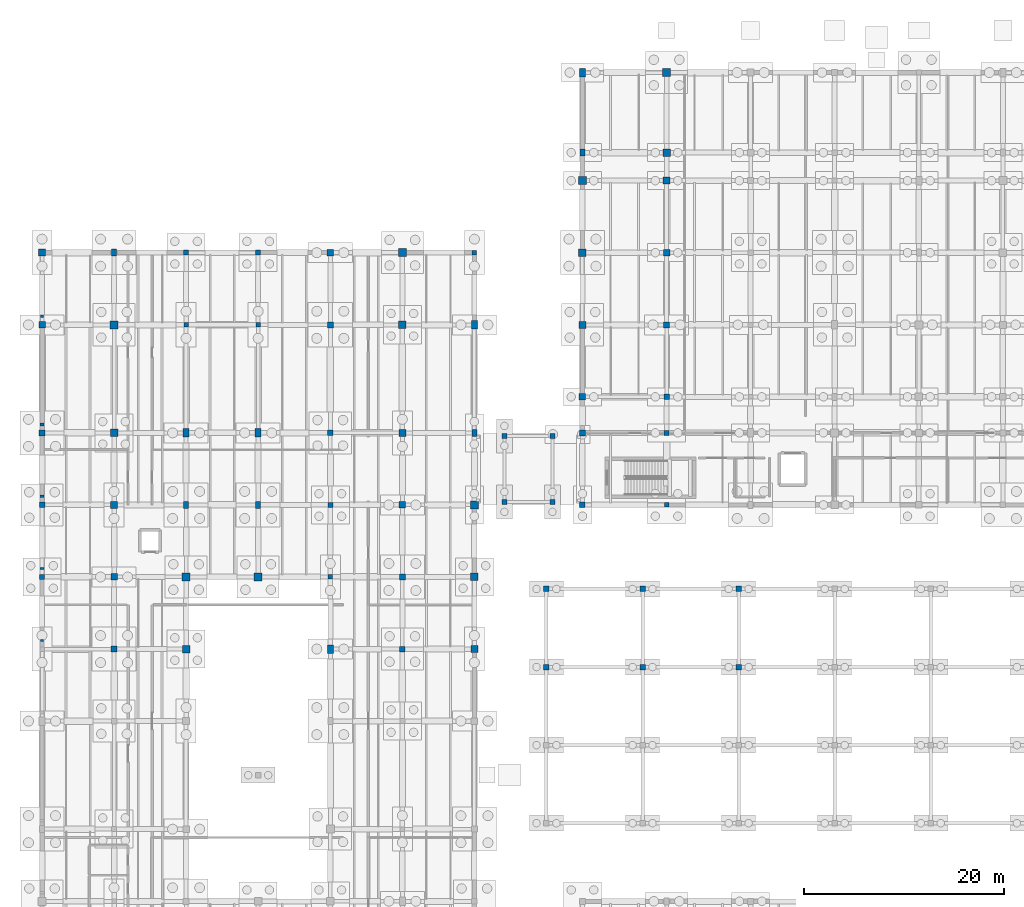
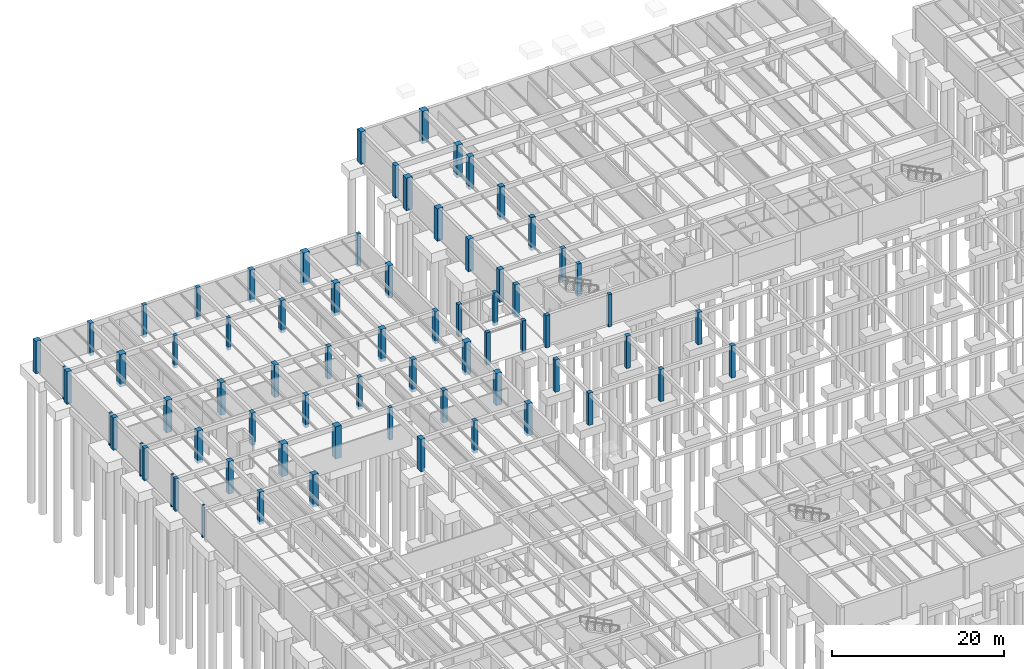
# One storey, part 20 of 63: 71 columns.
"""IFC4 building model written with IfcOpenShell, lengths in metres."""

from ifc_helpers import new_model, si_unit, direction, frame, origin, origin_2d, place, context, subcontext, project, spatial, rectangle, extrude, material, material_profile, profile_set, type_object, element, save


model = new_model("IFC4")

# Units and contexts
model_context = context("Model", 3, precision=1e-05, world=origin(), true_north=direction((0.0, 1.0)))
body_context = subcontext(model_context, "Body", "Model", "MODEL_VIEW")
ifc_project = project(units=[si_unit("LENGTHUNIT", "METRE"), si_unit("AREAUNIT", "SQUARE_METRE"), si_unit("VOLUMEUNIT", "CUBIC_METRE"), si_unit("PLANEANGLEUNIT", "RADIAN"), si_unit("MASSUNIT", "GRAM", prefix="KILO")], contexts=[model_context])

# Site, building, storey
site_placement = place(None, origin())
site = spatial("IfcSite", under=ifc_project, at=site_placement, CompositionType="ELEMENT")
building_placement = place(site_placement, origin())
building = spatial("IfcBuilding", under=site, at=building_placement, Name="Mazaris Harbour Polytechnic", CompositionType="ELEMENT")
storey_placement = place(building_placement, frame((0.0, 0.0, -4.5)))
storey = spatial("IfcBuildingStorey", under=building, at=storey_placement, Name="B1", CompositionType="ELEMENT", Elevation=-4.5)

# Columns
ifc_material_1 = material(Name="Concrete C35/45", Category="concrete")
ifc_material_profile_1 = material_profile(ifc_material_1, rectangle(XDim=0.320068359375, YDim=0.219970703125, at=origin_2d()), Name="RECT320x220")
ifc_profile_set_1 = profile_set([ifc_material_profile_1], Name="Concrete C35/45")
column_type_1 = type_object("IfcColumnType", Name="Limestone Pilaster 320x220", PredefinedType="PILASTER", material=ifc_profile_set_1)
for number, where, z_axis, x_axis, name in (
    (1, (0.0, 62.050048828125, -0.419921875), (0.0, 0.0, 1.0), (1.0, 0.0, 0.0), "V4 B1 Giant Order Pilaster 8"),
    (2, (0.0, 94.449951171875, -0.419921875), (0.0, 0.0, 1.0), (1.0, 0.0, 0.0), "V4 B1 Giant Order Pilaster 12"),
):
    element("IfcColumn", number, at=place(storey_placement, frame(where, z_axis=z_axis, x_axis=x_axis)), inside=storey, type_object=column_type_1, Name=name, PredefinedType="PILASTER", context=body_context, shape_type="SweptSolid", body=[
        extrude(rectangle(XDim=0.320068359375, YDim=0.219970703125, at=origin_2d()), origin(), (0.0, 0.0, 1.0), 4.599853515625),
    ])
ifc_material_2 = material(Name="Concrete C35/45", Category="concrete")
ifc_material_profile_2 = material_profile(ifc_material_2, rectangle(XDim=0.360107421875, YDim=0.239990234375, at=origin_2d()), Name="RECT360x240")
ifc_profile_set_2 = profile_set([ifc_material_profile_2], Name="Concrete C35/45")
column_type_2 = type_object("IfcColumnType", Name="Limestone Pilaster 360x240", PredefinedType="PILASTER", material=ifc_profile_set_2)
column_1_placement = place(storey_placement, frame((0.0, 69.25, -0.419921875), z_axis=(0.0, 0.0, 1.0), x_axis=(1.0, 0.0, 0.0)))
element("IfcColumn", 3, at=column_1_placement, inside=storey, type_object=column_type_2, Name="V4 B1 Giant Order Pilaster 9", PredefinedType="PILASTER", context=body_context, shape_type="SweptSolid", body=[
    extrude(rectangle(XDim=0.360107421875, YDim=0.239990234375, at=origin_2d()), origin(), (0.0, 0.0, 1.0), 4.599853515625),
])
ifc_material_3 = material(Name="Concrete C35/45", Category="concrete")
ifc_material_profile_3 = material_profile(ifc_material_3, rectangle(XDim=0.39990234375, YDim=0.260009765625, at=origin_2d()), Name="RECT400x260")
ifc_profile_set_3 = profile_set([ifc_material_profile_3], Name="Concrete C35/45")
column_type_3 = type_object("IfcColumnType", Name="Limestone Pilaster 400x260", PredefinedType="PILASTER", material=ifc_profile_set_3)
column_2_placement = place(storey_placement, frame((0.0, 76.449951171875, -0.419921875), z_axis=(0.0, 0.0, 1.0), x_axis=(1.0, 0.0, 0.0)))
element("IfcColumn", 4, at=column_2_placement, inside=storey, type_object=column_type_3, Name="V4 B1 Giant Order Pilaster 10", PredefinedType="PILASTER", context=body_context, shape_type="SweptSolid", body=[
    extrude(rectangle(XDim=0.39990234375, YDim=0.260009765625, at=origin_2d()), origin(), (0.0, 0.0, 1.0), 4.599853515625),
])
ifc_material_4 = material(Name="Concrete C35/45", Category="concrete")
ifc_material_profile_4 = material_profile(ifc_material_4, rectangle(XDim=0.43994140625, YDim=0.280029296875, at=origin_2d()), Name="RECT440x280")
ifc_profile_set_4 = profile_set([ifc_material_profile_4], Name="Concrete C35/45")
column_type_4 = type_object("IfcColumnType", Name="Limestone Pilaster 440x280", PredefinedType="PILASTER", material=ifc_profile_set_4)
column_3_placement = place(storey_placement, frame((0.0, 83.64990234375, -0.419921875), z_axis=(0.0, 0.0, 1.0), x_axis=(1.0, 0.0, 0.0)))
element("IfcColumn", 5, at=column_3_placement, inside=storey, type_object=column_type_4, Name="V4 B1 Giant Order Pilaster 11", PredefinedType="PILASTER", context=body_context, shape_type="SweptSolid", body=[
    extrude(rectangle(XDim=0.43994140625, YDim=0.280029296875, at=origin_2d()), origin(), (0.0, 0.0, 1.0), 4.599853515625),
])
ifc_material_5 = material(Name="Concrete C40/50", Category="concrete")
ifc_material_profile_5 = material_profile(ifc_material_5, rectangle(XDim=0.449951171875, YDim=0.449951171875, at=origin_2d()), Name="RECT450x450")
ifc_profile_set_5 = profile_set([ifc_material_profile_5], Name="Concrete C40/50")
column_type_5 = type_object("IfcColumnType", Name="RC Column 450x450", PredefinedType="COLUMN", material=ifc_profile_set_5)
column_4_placement = place(storey_placement, frame((62.39990234375, 75.60009765625, -0.4599609375), z_axis=(0.0, 0.0, 1.0), x_axis=(1.0, 0.0, 0.0)))
element("IfcColumn", 6, at=column_4_placement, inside=storey, type_object=column_type_5, Name="V1 B1 Column 9", PredefinedType="COLUMN", context=body_context, shape_type="SweptSolid", body=[
    extrude(rectangle(XDim=0.449951171875, YDim=0.449951171875, at=origin_2d()), origin(), (0.0, 0.0, 1.0), 4.60986328125),
])
for number, where, z_axis, x_axis, name in (
    (7, (14.39990234375, 93.60009765625, -0.419921875), (0.0, 0.0, 1.0), (1.0, 0.0, 0.0), "V4 B1 Column 589"),
    (8, (21.60009765625, 93.60009765625, -0.419921875), (0.0, 0.0, 1.0), (1.0, 0.0, 0.0), "V4 B1 Column 599"),
    (9, (28.800048828125, 68.39990234375, -0.419921875), (0.0, 0.0, 1.0), (1.0, 0.0, 0.0), "V4 B1 Column 609"),
    (10, (43.199951171875, 100.800048828125, -0.419921875), (0.0, 0.0, 1.0), (1.0, 0.0, 0.0), "V4 B1 Column 639"),
):
    element("IfcColumn", number, at=place(storey_placement, frame(where, z_axis=z_axis, x_axis=x_axis)), inside=storey, type_object=column_type_5, Name=name, PredefinedType="COLUMN", context=body_context, shape_type="SweptSolid", body=[
        extrude(rectangle(XDim=0.449951171875, YDim=0.449951171875, at=origin_2d()), origin(), (0.0, 0.0, 1.0), 4.599853515625),
    ])
ifc_material_6 = material(Name="Concrete C40/50", Category="concrete")
ifc_material_profile_6 = material_profile(ifc_material_6, rectangle(XDim=0.5, YDim=0.5, at=origin_2d()), Name="RECT500x500")
ifc_profile_set_6 = profile_set([ifc_material_profile_6], Name="Concrete C40/50")
column_type_6 = type_object("IfcColumnType", Name="RC Column 500x500", PredefinedType="COLUMN", material=ifc_profile_set_6)
column_5_placement = place(storey_placement, frame((62.39990234375, 82.800048828125, -0.4599609375), z_axis=(0.0, 0.0, 1.0), x_axis=(1.0, 0.0, 0.0)))
element("IfcColumn", 11, at=column_5_placement, inside=storey, type_object=column_type_6, Name="V1 B1 Column 10", PredefinedType="COLUMN", context=body_context, shape_type="SweptSolid", body=[
    extrude(rectangle(XDim=0.5, YDim=0.5, at=origin_2d()), origin(), (0.0, 0.0, 1.0), 4.60986328125),
])
for number, where, z_axis, x_axis, name in (
    (12, (0.0, 68.39990234375, -0.419921875), (0.0, 0.0, 1.0), (1.0, 0.0, 0.0), "V4 B1 Column 560"),
    (13, (14.39990234375, 100.800048828125, -0.419921875), (0.0, 0.0, 1.0), (1.0, 0.0, 0.0), "V4 B1 Column 590"),
    (14, (21.60009765625, 100.800048828125, -0.419921875), (0.0, 0.0, 1.0), (1.0, 0.0, 0.0), "V4 B1 Column 600"),
    (15, (28.800048828125, 75.60009765625, -0.419921875), (0.0, 0.0, 1.0), (1.0, 0.0, 0.0), "V4 B1 Column 610"),
):
    element("IfcColumn", number, at=place(storey_placement, frame(where, z_axis=z_axis, x_axis=x_axis)), inside=storey, type_object=column_type_6, Name=name, PredefinedType="COLUMN", context=body_context, shape_type="SweptSolid", body=[
        extrude(rectangle(XDim=0.5, YDim=0.5, at=origin_2d()), origin(), (0.0, 0.0, 1.0), 4.599853515625),
    ])
for number, where, z_axis, x_axis, name in (
    (16, (46.199951171875, 75.89990234375, -0.3798828125), (0.0, 0.0, 1.0), (1.0, 0.0, 0.0), "PB-W2 B1 Bridge Column 1528"),
    (17, (51.0, 75.89990234375, -0.3798828125), (0.0, 0.0, 1.0), (1.0, 0.0, 0.0), "PB-W2 B1 Bridge Column 1529"),
    (18, (46.199951171875, 82.5, -0.3798828125), (0.0, 0.0, 1.0), (1.0, 0.0, 0.0), "PB-W2 B1 Bridge Column 1530"),
):
    element("IfcColumn", number, at=place(storey_placement, frame(where, z_axis=z_axis, x_axis=x_axis)), inside=storey, type_object=column_type_6, Name=name, PredefinedType="COLUMN", context=body_context, shape_type="SweptSolid", body=[
        extrude(rectangle(XDim=0.5, YDim=0.5, at=origin_2d()), origin(), (0.0, 0.0, 1.0), 4.614990234375),
    ])
column_6_placement = place(storey_placement, frame((51.0, 82.5, -0.4599609375), z_axis=(0.0, 0.0, 1.0), x_axis=(1.0, 0.0, 0.0)))
element("IfcColumn", 19, at=column_6_placement, inside=storey, type_object=column_type_6, Name="PB-W2 B1 Bridge Column 1531", PredefinedType="COLUMN", context=body_context, shape_type="SweptSolid", body=[
    extrude(rectangle(XDim=0.5, YDim=0.5, at=origin_2d()), origin(), (0.0, 0.0, 1.0), 4.695068359375),
])
ifc_material_7 = material(Name="Concrete C40/50", Category="concrete")
ifc_material_profile_7 = material_profile(ifc_material_7, rectangle(XDim=0.5, YDim=0.699951171875, at=origin_2d()), Name="RECT500x700")
ifc_profile_set_7 = profile_set([ifc_material_profile_7], Name="Concrete C40/50")
column_type_7 = type_object("IfcColumnType", Name="RC Column 500x700", PredefinedType="COLUMN", material=ifc_profile_set_7)
column_7_placement = place(storey_placement, frame((54.0, 110.800048828125, -0.4599609375), z_axis=(0.0, 0.0, 1.0), x_axis=(1.0, 0.0, 0.0)))
element("IfcColumn", 20, at=column_7_placement, inside=storey, type_object=column_type_7, Name="V1 B1 Column 7", PredefinedType="COLUMN", context=body_context, shape_type="SweptSolid", body=[
    extrude(rectangle(XDim=0.5, YDim=0.699951171875, at=origin_2d()), origin(), (0.0, 0.0, 1.0), 4.60986328125),
])
for number, where, z_axis, x_axis, name in (
    (21, (7.199951171875, 100.800048828125, -0.419921875), (0.0, 0.0, 1.0), (1.0, 0.0, 0.0), "V4 B1 Column 577"),
    (22, (14.39990234375, 75.60009765625, -0.419921875), (0.0, 0.0, 1.0), (1.0, 0.0, 0.0), "V4 B1 Column 587"),
    (23, (21.60009765625, 75.60009765625, -0.419921875), (0.0, 0.0, 1.0), (1.0, 0.0, 0.0), "V4 B1 Column 597"),
    (24, (43.199951171875, 82.800048828125, -0.419921875), (0.0, 0.0, 1.0), (1.0, 0.0, 0.0), "V4 B1 Column 637"),
):
    element("IfcColumn", number, at=place(storey_placement, frame(where, z_axis=z_axis, x_axis=x_axis)), inside=storey, type_object=column_type_7, Name=name, PredefinedType="COLUMN", context=body_context, shape_type="SweptSolid", body=[
        extrude(rectangle(XDim=0.5, YDim=0.699951171875, at=origin_2d()), origin(), (0.0, 0.0, 1.0), 4.599853515625),
    ])
ifc_material_8 = material(Name="Concrete C40/50", Category="concrete")
ifc_material_profile_8 = material_profile(ifc_material_8, rectangle(XDim=0.550048828125, YDim=0.550048828125, at=origin_2d()), Name="RECT550x550")
ifc_profile_set_8 = profile_set([ifc_material_profile_8], Name="Concrete C40/50")
column_type_8 = type_object("IfcColumnType", Name="RC Column 550x550", PredefinedType="COLUMN", material=ifc_profile_set_8)
for number, where, z_axis, x_axis, name in (
    (25, (54.0, 75.60009765625, -0.4599609375), (0.0, 0.0, 1.0), (1.0, 0.0, 0.0), "V1 B1 Column 1"),
    (26, (62.39990234375, 86.39990234375, -0.4599609375), (0.0, 0.0, 1.0), (1.0, 0.0, 0.0), "V1 B1 Column 11"),
):
    element("IfcColumn", number, at=place(storey_placement, frame(where, z_axis=z_axis, x_axis=x_axis)), inside=storey, type_object=column_type_8, Name=name, PredefinedType="COLUMN", context=body_context, shape_type="SweptSolid", body=[
        extrude(rectangle(XDim=0.550048828125, YDim=0.550048828125, at=origin_2d()), origin(), (0.0, 0.0, 1.0), 4.60986328125),
    ])
for number, where, z_axis, x_axis, name in (
    (27, (0.0, 75.60009765625, -0.419921875), (0.0, 0.0, 1.0), (1.0, 0.0, 0.0), "V4 B1 Column 561"),
    (28, (28.800048828125, 82.800048828125, -0.419921875), (0.0, 0.0, 1.0), (1.0, 0.0, 0.0), "V4 B1 Column 611"),
    (29, (36.0, 61.199951171875, -0.419921875), (0.0, 0.0, 1.0), (1.0, 0.0, 0.0), "V4 B1 Column 621"),
):
    element("IfcColumn", number, at=place(storey_placement, frame(where, z_axis=z_axis, x_axis=x_axis)), inside=storey, type_object=column_type_8, Name=name, PredefinedType="COLUMN", context=body_context, shape_type="SweptSolid", body=[
        extrude(rectangle(XDim=0.550048828125, YDim=0.550048828125, at=origin_2d()), origin(), (0.0, 0.0, 1.0), 4.599853515625),
    ])
for number, where, z_axis, x_axis, name in (
    (30, (50.39990234375, 59.39990234375, -0.3798828125), (0.0, 0.0, 1.0), (1.0, 0.0, 0.0), "Courtyard Deck Support Column 3"),
    (31, (50.39990234375, 67.199951171875, -0.3798828125), (0.0, 0.0, 1.0), (1.0, 0.0, 0.0), "Courtyard Deck Support Column 4"),
    (32, (60.0, 59.39990234375, -0.3798828125), (0.0, 0.0, 1.0), (1.0, 0.0, 0.0), "Courtyard Deck Support Column 7"),
    (33, (60.0, 67.199951171875, -0.3798828125), (0.0, 0.0, 1.0), (1.0, 0.0, 0.0), "Courtyard Deck Support Column 8"),
    (34, (69.60009765625, 59.39990234375, -0.3798828125), (0.0, 0.0, 1.0), (1.0, 0.0, 0.0), "Courtyard Deck Support Column 11"),
    (35, (69.60009765625, 67.199951171875, -0.3798828125), (0.0, 0.0, 1.0), (1.0, 0.0, 0.0), "Courtyard Deck Support Column 12"),
):
    element("IfcColumn", number, at=place(storey_placement, frame(where, z_axis=z_axis, x_axis=x_axis)), inside=storey, type_object=column_type_8, Name=name, PredefinedType="COLUMN", context=body_context, shape_type="SweptSolid", body=[
        extrude(rectangle(XDim=0.550048828125, YDim=0.550048828125, at=origin_2d()), origin(), (0.0, 0.0, 1.0), 4.579833984375),
    ])
ifc_material_9 = material(Name="Concrete C40/50", Category="concrete")
ifc_material_profile_9 = material_profile(ifc_material_9, rectangle(XDim=0.60009765625, YDim=0.60009765625, at=origin_2d()), Name="RECT600x600")
ifc_profile_set_9 = profile_set([ifc_material_profile_9], Name="Concrete C40/50")
column_type_9 = type_object("IfcColumnType", Name="RC Column 600x600", PredefinedType="COLUMN", material=ifc_profile_set_9)
column_8_placement = place(storey_placement, frame((54.0, 82.800048828125, -0.4599609375), z_axis=(0.0, 0.0, 1.0), x_axis=(1.0, 0.0, 0.0)))
element("IfcColumn", 36, at=column_8_placement, inside=storey, type_object=column_type_9, Name="V1 B1 Column 2", PredefinedType="COLUMN", context=body_context, shape_type="SweptSolid", body=[
    extrude(rectangle(XDim=0.60009765625, YDim=0.60009765625, at=origin_2d()), origin(), (0.0, 0.0, 1.0), 4.60986328125),
])
column_9_placement = place(storey_placement, frame((62.39990234375, 93.60009765625, -0.4599609375), z_axis=(0.0, 0.0, 1.0), x_axis=(1.0, 0.0, 0.0)))
element("IfcColumn", 37, at=column_9_placement, inside=storey, type_object=column_type_9, Name="V1 B1 Column 12", PredefinedType="COLUMN", context=body_context, shape_type="SweptSolid", body=[
    extrude(rectangle(XDim=0.60009765625, YDim=0.60009765625, at=origin_2d()), origin(), (0.0, 0.0, 1.0), 4.719970703125),
])
for number, where, z_axis, x_axis, name in (
    (38, (0.0, 82.800048828125, -0.419921875), (0.0, 0.0, 1.0), (1.0, 0.0, 0.0), "V4 B1 Column 562"),
    (39, (7.199951171875, 61.199951171875, -0.419921875), (0.0, 0.0, 1.0), (1.0, 0.0, 0.0), "V4 B1 Column 572"),
    (40, (28.800048828125, 93.60009765625, -0.419921875), (0.0, 0.0, 1.0), (1.0, 0.0, 0.0), "V4 B1 Column 612"),
    (41, (36.0, 68.39990234375, -0.419921875), (0.0, 0.0, 1.0), (1.0, 0.0, 0.0), "V4 B1 Column 622"),
):
    element("IfcColumn", number, at=place(storey_placement, frame(where, z_axis=z_axis, x_axis=x_axis)), inside=storey, type_object=column_type_9, Name=name, PredefinedType="COLUMN", context=body_context, shape_type="SweptSolid", body=[
        extrude(rectangle(XDim=0.60009765625, YDim=0.60009765625, at=origin_2d()), origin(), (0.0, 0.0, 1.0), 4.599853515625),
    ])
ifc_material_10 = material(Name="Concrete C40/50", Category="concrete")
ifc_material_profile_10 = material_profile(ifc_material_10, rectangle(XDim=0.60009765625, YDim=0.85009765625, at=origin_2d()), Name="RECT600x850")
ifc_profile_set_10 = profile_set([ifc_material_profile_10], Name="Concrete C40/50")
column_type_10 = type_object("IfcColumnType", Name="RC Column 600x850", PredefinedType="COLUMN", material=ifc_profile_set_10)
column_10_placement = place(storey_placement, frame((54.0, 118.800048828125, -0.4599609375), z_axis=(0.0, 0.0, 1.0), x_axis=(1.0, 0.0, 0.0)))
element("IfcColumn", 42, at=column_10_placement, inside=storey, type_object=column_type_10, Name="V1 B1 Column 8", PredefinedType="COLUMN", context=body_context, shape_type="SweptSolid", body=[
    extrude(rectangle(XDim=0.60009765625, YDim=0.85009765625, at=origin_2d()), origin(), (0.0, 0.0, 1.0), 4.60986328125),
])
for number, where, z_axis, x_axis, name in (
    (43, (14.39990234375, 82.800048828125, -0.419921875), (0.0, 0.0, 1.0), (1.0, 0.0, 0.0), "V4 B1 Column 588"),
    (44, (21.60009765625, 82.800048828125, -0.419921875), (0.0, 0.0, 1.0), (1.0, 0.0, 0.0), "V4 B1 Column 598"),
    (45, (28.800048828125, 61.199951171875, -0.419921875), (0.0, 0.0, 1.0), (1.0, 0.0, 0.0), "V4 B1 Column 608"),
    (46, (43.199951171875, 93.60009765625, -0.419921875), (0.0, 0.0, 1.0), (1.0, 0.0, 0.0), "V4 B1 Column 638"),
):
    element("IfcColumn", number, at=place(storey_placement, frame(where, z_axis=z_axis, x_axis=x_axis)), inside=storey, type_object=column_type_10, Name=name, PredefinedType="COLUMN", context=body_context, shape_type="SweptSolid", body=[
        extrude(rectangle(XDim=0.60009765625, YDim=0.85009765625, at=origin_2d()), origin(), (0.0, 0.0, 1.0), 4.599853515625),
    ])
ifc_material_11 = material(Name="Concrete C40/50", Category="concrete")
ifc_material_profile_11 = material_profile(ifc_material_11, rectangle(XDim=0.64990234375, YDim=0.64990234375, at=origin_2d()), Name="RECT650x650")
ifc_profile_set_11 = profile_set([ifc_material_profile_11], Name="Concrete C40/50")
column_type_11 = type_object("IfcColumnType", Name="RC Column 650x650", PredefinedType="COLUMN", material=ifc_profile_set_11)
column_11_placement = place(storey_placement, frame((54.0, 86.39990234375, -0.4599609375), z_axis=(0.0, 0.0, 1.0), x_axis=(1.0, 0.0, 0.0)))
element("IfcColumn", 47, at=column_11_placement, inside=storey, type_object=column_type_11, Name="V1 B1 Column 3", PredefinedType="COLUMN", context=body_context, shape_type="SweptSolid", body=[
    extrude(rectangle(XDim=0.64990234375, YDim=0.64990234375, at=origin_2d()), origin(), (0.0, 0.0, 1.0), 4.60986328125),
])
column_12_placement = place(storey_placement, frame((62.39990234375, 100.800048828125, -0.4599609375), z_axis=(0.0, 0.0, 1.0), x_axis=(1.0, 0.0, 0.0)))
element("IfcColumn", 48, at=column_12_placement, inside=storey, type_object=column_type_11, Name="V1 B1 Column 13", PredefinedType="COLUMN", context=body_context, shape_type="SweptSolid", body=[
    extrude(rectangle(XDim=0.64990234375, YDim=0.64990234375, at=origin_2d()), origin(), (0.0, 0.0, 1.0), 4.719970703125),
])
for number, where, z_axis, x_axis, name in (
    (49, (0.0, 93.60009765625, -0.419921875), (0.0, 0.0, 1.0), (1.0, 0.0, 0.0), "V4 B1 Column 563"),
    (50, (7.199951171875, 68.39990234375, -0.419921875), (0.0, 0.0, 1.0), (1.0, 0.0, 0.0), "V4 B1 Column 573"),
    (51, (28.800048828125, 100.800048828125, -0.419921875), (0.0, 0.0, 1.0), (1.0, 0.0, 0.0), "V4 B1 Column 613"),
    (52, (36.0, 75.60009765625, -0.419921875), (0.0, 0.0, 1.0), (1.0, 0.0, 0.0), "V4 B1 Column 623"),
):
    element("IfcColumn", number, at=place(storey_placement, frame(where, z_axis=z_axis, x_axis=x_axis)), inside=storey, type_object=column_type_11, Name=name, PredefinedType="COLUMN", context=body_context, shape_type="SweptSolid", body=[
        extrude(rectangle(XDim=0.64990234375, YDim=0.64990234375, at=origin_2d()), origin(), (0.0, 0.0, 1.0), 4.599853515625),
    ])
ifc_material_12 = material(Name="Concrete C40/50", Category="concrete")
ifc_material_profile_12 = material_profile(ifc_material_12, rectangle(XDim=0.699951171875, YDim=0.699951171875, at=origin_2d()), Name="RECT700x700")
ifc_profile_set_12 = profile_set([ifc_material_profile_12], Name="Concrete C40/50")
column_type_12 = type_object("IfcColumnType", Name="RC Column 700x700", PredefinedType="COLUMN", material=ifc_profile_set_12)
for number, where, z_axis, x_axis, name in (
    (53, (54.0, 93.60009765625, -0.4599609375), (0.0, 0.0, 1.0), (1.0, 0.0, 0.0), "V1 B1 Column 4"),
    (54, (62.39990234375, 108.0, -0.4599609375), (0.0, 0.0, 1.0), (1.0, 0.0, 0.0), "V1 B1 Column 14"),
):
    element("IfcColumn", number, at=place(storey_placement, frame(where, z_axis=z_axis, x_axis=x_axis)), inside=storey, type_object=column_type_12, Name=name, PredefinedType="COLUMN", context=body_context, shape_type="SweptSolid", body=[
        extrude(rectangle(XDim=0.699951171875, YDim=0.699951171875, at=origin_2d()), origin(), (0.0, 0.0, 1.0), 4.60986328125),
    ])
for number, where, z_axis, x_axis, name in (
    (55, (0.0, 100.800048828125, -0.419921875), (0.0, 0.0, 1.0), (1.0, 0.0, 0.0), "V4 B1 Column 564"),
    (56, (7.199951171875, 75.60009765625, -0.419921875), (0.0, 0.0, 1.0), (1.0, 0.0, 0.0), "V4 B1 Column 574"),
    (57, (36.0, 82.800048828125, -0.419921875), (0.0, 0.0, 1.0), (1.0, 0.0, 0.0), "V4 B1 Column 624"),
    (58, (43.199951171875, 61.199951171875, -0.419921875), (0.0, 0.0, 1.0), (1.0, 0.0, 0.0), "V4 B1 Column 634"),
):
    element("IfcColumn", number, at=place(storey_placement, frame(where, z_axis=z_axis, x_axis=x_axis)), inside=storey, type_object=column_type_12, Name=name, PredefinedType="COLUMN", context=body_context, shape_type="SweptSolid", body=[
        extrude(rectangle(XDim=0.699951171875, YDim=0.699951171875, at=origin_2d()), origin(), (0.0, 0.0, 1.0), 4.599853515625),
    ])
ifc_material_13 = material(Name="Concrete C40/50", Category="concrete")
ifc_material_profile_13 = material_profile(ifc_material_13, rectangle(XDim=0.75, YDim=0.75, at=origin_2d()), Name="RECT750x750")
ifc_profile_set_13 = profile_set([ifc_material_profile_13], Name="Concrete C40/50")
column_type_13 = type_object("IfcColumnType", Name="RC Column 750x750", PredefinedType="COLUMN", material=ifc_profile_set_13)
for number, where, z_axis, x_axis, name in (
    (59, (54.0, 100.800048828125, -0.4599609375), (0.0, 0.0, 1.0), (1.0, 0.0, 0.0), "V1 B1 Column 5"),
    (60, (62.39990234375, 110.800048828125, -0.4599609375), (0.0, 0.0, 1.0), (1.0, 0.0, 0.0), "V1 B1 Column 15"),
):
    element("IfcColumn", number, at=place(storey_placement, frame(where, z_axis=z_axis, x_axis=x_axis)), inside=storey, type_object=column_type_13, Name=name, PredefinedType="COLUMN", context=body_context, shape_type="SweptSolid", body=[
        extrude(rectangle(XDim=0.75, YDim=0.75, at=origin_2d()), origin(), (0.0, 0.0, 1.0), 4.60986328125),
    ])
for number, where, z_axis, x_axis, name in (
    (61, (7.199951171875, 82.800048828125, -0.419921875), (0.0, 0.0, 1.0), (1.0, 0.0, 0.0), "V4 B1 Column 575"),
    (62, (14.39990234375, 61.199951171875, -0.419921875), (0.0, 0.0, 1.0), (1.0, 0.0, 0.0), "V4 B1 Column 585"),
    (63, (36.0, 93.60009765625, -0.419921875), (0.0, 0.0, 1.0), (1.0, 0.0, 0.0), "V4 B1 Column 625"),
    (64, (43.199951171875, 68.39990234375, -0.419921875), (0.0, 0.0, 1.0), (1.0, 0.0, 0.0), "V4 B1 Column 635"),
):
    element("IfcColumn", number, at=place(storey_placement, frame(where, z_axis=z_axis, x_axis=x_axis)), inside=storey, type_object=column_type_13, Name=name, PredefinedType="COLUMN", context=body_context, shape_type="SweptSolid", body=[
        extrude(rectangle(XDim=0.75, YDim=0.75, at=origin_2d()), origin(), (0.0, 0.0, 1.0), 4.599853515625),
    ])
ifc_material_14 = material(Name="Concrete C40/50", Category="concrete")
ifc_material_profile_14 = material_profile(ifc_material_14, rectangle(XDim=0.800048828125, YDim=0.800048828125, at=origin_2d()), Name="RECT800x800")
ifc_profile_set_14 = profile_set([ifc_material_profile_14], Name="Concrete C40/50")
column_type_14 = type_object("IfcColumnType", Name="RC Column 800x800", PredefinedType="COLUMN", material=ifc_profile_set_14)
for number, where, z_axis, x_axis, name in (
    (65, (54.0, 108.0, -0.4599609375), (0.0, 0.0, 1.0), (1.0, 0.0, 0.0), "V1 B1 Column 6"),
    (66, (62.39990234375, 118.800048828125, -0.4599609375), (0.0, 0.0, 1.0), (1.0, 0.0, 0.0), "V1 B1 Column 16"),
):
    element("IfcColumn", number, at=place(storey_placement, frame(where, z_axis=z_axis, x_axis=x_axis)), inside=storey, type_object=column_type_14, Name=name, PredefinedType="COLUMN", context=body_context, shape_type="SweptSolid", body=[
        extrude(rectangle(XDim=0.800048828125, YDim=0.800048828125, at=origin_2d()), origin(), (0.0, 0.0, 1.0), 4.60986328125),
    ])
for number, where, z_axis, x_axis, name in (
    (67, (7.199951171875, 93.60009765625, -0.419921875), (0.0, 0.0, 1.0), (1.0, 0.0, 0.0), "V4 B1 Column 576"),
    (68, (14.39990234375, 68.39990234375, -0.419921875), (0.0, 0.0, 1.0), (1.0, 0.0, 0.0), "V4 B1 Column 586"),
    (69, (21.60009765625, 68.39990234375, -0.419921875), (0.0, 0.0, 1.0), (1.0, 0.0, 0.0), "V4 B1 Column 596"),
    (70, (36.0, 100.800048828125, -0.419921875), (0.0, 0.0, 1.0), (1.0, 0.0, 0.0), "V4 B1 Column 626"),
    (71, (43.199951171875, 75.60009765625, -0.419921875), (0.0, 0.0, 1.0), (1.0, 0.0, 0.0), "V4 B1 Column 636"),
):
    element("IfcColumn", number, at=place(storey_placement, frame(where, z_axis=z_axis, x_axis=x_axis)), inside=storey, type_object=column_type_14, Name=name, PredefinedType="COLUMN", context=body_context, shape_type="SweptSolid", body=[
        extrude(rectangle(XDim=0.800048828125, YDim=0.800048828125, at=origin_2d()), origin(), (0.0, 0.0, 1.0), 4.599853515625),
    ])

save(model, "model.ifc")
